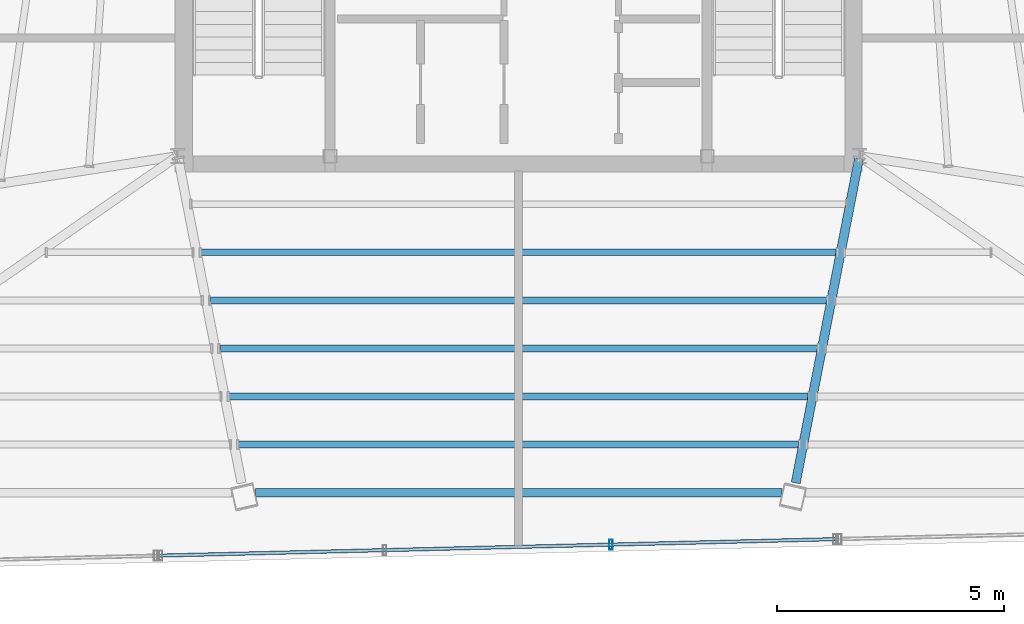
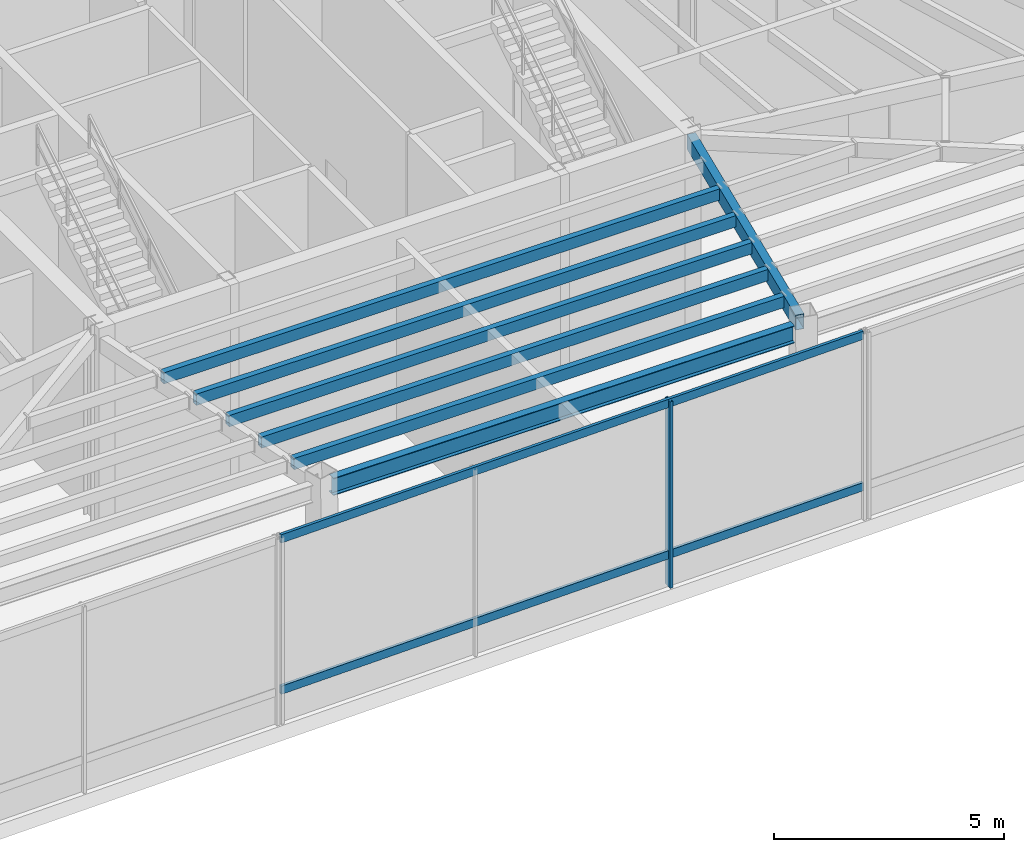
# One storey, part 8 of 25: 7 beams, 3 members, 1 element without a shape of its own.
"""IFC4 building model written with IfcOpenShell, lengths in metres."""

from ifc_helpers import new_model, si_unit, direction, frame, origin, origin_2d, place, context, subcontext, project, spatial, hollow_rectangle, i_section, extrude, source, transform, mapped, material, material_profile, profile_set, type_object, type_shapes, element, aggregate, save


model = new_model("IFC4")

# Units and contexts
model_context = context("Model", 3, precision=1e-05, world=origin(), true_north=direction((0.0, 1.0)))
body_context = subcontext(model_context, "Body", "Model", "MODEL_VIEW")
ifc_project = project(units=[si_unit("LENGTHUNIT", "METRE"), si_unit("AREAUNIT", "SQUARE_METRE"), si_unit("VOLUMEUNIT", "CUBIC_METRE"), si_unit("PLANEANGLEUNIT", "RADIAN"), si_unit("MASSUNIT", "GRAM", prefix="KILO")], contexts=[model_context])

# Site, building, storey
site_placement = place(None, origin())
site = spatial("IfcSite", under=ifc_project, at=site_placement, CompositionType="ELEMENT")
building_placement = place(site_placement, origin())
building = spatial("IfcBuilding", under=site, at=building_placement, Name="Caelisora Broadcast Tower", CompositionType="ELEMENT")
storey_placement = place(building_placement, frame((0.0, 0.0, 284.60009765625)))
storey = spatial("IfcBuildingStorey", under=building, at=storey_placement, Name="L75", CompositionType="ELEMENT", Elevation=284.60009765625)

# Beams
ifc_material_1 = material(Name="Steel Grade 350 (AS/NZS 3679.1)", Category="steel")
ifc_material_profile_1 = material_profile(ifc_material_1, i_section(OverallWidth=0.19091796875, OverallDepth=0.46044921875, WebThickness=0.010009765625, FlangeThickness=0.01611328125, at=origin_2d()), Name="Steel Grade 350 (AS/NZS 3679.1)")
ifc_profile_set_1 = profile_set([ifc_material_profile_1], Name="Steel Grade 350 (AS/NZS 3679.1)")
beam_type_1 = type_object("IfcBeamType", Name="PG06", PredefinedType="BEAM", material=ifc_profile_set_1)
shared_shape_1 = source(origin(), body_context, "Body", "SweptSolid", [
    extrude(i_section(OverallWidth=0.19091796875, OverallDepth=0.46044921875, WebThickness=0.010009765625, FlangeThickness=0.01611328125, at=origin_2d()), origin(), (0.0, 0.0, 1.0), 11.58935546875),
])
type_shapes(beam_type_1, [shared_shape_1])
beam_1_placement = place(storey_placement, frame((32.205322265625, 9.993408203125, 4.7197265625), z_axis=(1.0, 0.0, 0.0), x_axis=(0.0, 1.0, 0.0)))
element("IfcBeam", 1, at=beam_1_placement, inside=storey, type_object=beam_type_1, Name="L75 beam PG06", PredefinedType="BEAM", context=body_context, shape_type="MappedRepresentation", body=[
    mapped(shared_shape_1, transform((0.0, 0.0, 0.0), scale=1.0)),
])
ifc_material_2 = material(Name="Steel Grade 350 (AS/NZS 1163 C350L0)", Category="steel")
ifc_material_profile_2 = material_profile(ifc_material_2, hollow_rectangle(XDim=0.199951171875, YDim=0.39990234375, WallThickness=0.012451171875, at=origin_2d()), Name="Steel Grade 350 (AS/NZS 1163 C350L0)")
ifc_profile_set_2 = profile_set([ifc_material_profile_2], Name="Steel Grade 350 (AS/NZS 1163 C350L0)")
beam_type_2 = type_object("IfcBeamType", Name="PG07", PredefinedType="BEAM", material=ifc_profile_set_2)
shared_shape_2 = source(origin(), body_context, "Body", "SweptSolid", [
    extrude(hollow_rectangle(XDim=0.199951171875, YDim=0.39990234375, WallThickness=0.012451171875, at=origin_2d()), origin(), (0.0, 0.0, 1.0), 7.26611328125),
])
type_shapes(beam_type_2, [shared_shape_2])
beam_2_placement = place(storey_placement, frame((45.488525390625, 17.341064453125, 4.75), z_axis=(-0.191552200086, -0.981482427067, 0.0), x_axis=(0.981482427067, -0.191552200086, 0.0)))
element("IfcBeam", 2, at=beam_2_placement, inside=storey, type_object=beam_type_2, Name="L75 beam PG07", PredefinedType="BEAM", context=body_context, shape_type="MappedRepresentation", body=[
    mapped(shared_shape_2, transform((0.0, 0.0, 0.0), scale=1.0)),
])
ifc_material_profile_3 = material_profile(ifc_material_2, hollow_rectangle(XDim=0.14990234375, YDim=0.300048828125, WallThickness=0.010009765625, at=origin_2d()), Name="Steel Grade 350 (AS/NZS 1163 C350L0)")
ifc_profile_set_3 = profile_set([ifc_material_profile_3], Name="Steel Grade 350 (AS/NZS 1163 C350L0)")
beam_type_3 = type_object("IfcBeamType", Name="SB05", PredefinedType="JOIST", material=ifc_profile_set_3)
shared_shape_3 = source(origin(), body_context, "Body", "SweptSolid", [
    extrude(hollow_rectangle(XDim=0.14990234375, YDim=0.300048828125, WallThickness=0.010009765625, at=origin_2d()), origin(), (0.0, 0.0, 1.0), 13.97607421875),
])
beam_3_placement = place(storey_placement, frame((31.011962890625, 15.283935546875, 4.7998046875), z_axis=(1.0, 0.0, 0.0), x_axis=(0.0, 1.0, 0.0)))
element("IfcBeam", 3, at=beam_3_placement, inside=storey, type_object=beam_type_3, Name="L75 beam SB05", PredefinedType="JOIST", context=body_context, shape_type="MappedRepresentation", body=[
    mapped(shared_shape_3, transform((0.0, 0.0, 0.0), scale=1.0)),
])
shared_shape_4 = source(origin(), body_context, "Body", "SweptSolid", [
    extrude(hollow_rectangle(XDim=0.14990234375, YDim=0.300048828125, WallThickness=0.010009765625, at=origin_2d()), origin(), (0.0, 0.0, 1.0), 13.56298828125),
])
beam_4_placement = place(storey_placement, frame((31.218505859375, 14.225830078125, 4.7998046875), z_axis=(1.0, 0.0, 0.0), x_axis=(0.0, 1.0, 0.0)))
element("IfcBeam", 4, at=beam_4_placement, inside=storey, type_object=beam_type_3, Name="L75 beam SB05", PredefinedType="JOIST", context=body_context, shape_type="MappedRepresentation", body=[
    mapped(shared_shape_4, transform((0.0, 0.0, 0.0), scale=1.0)),
])
shared_shape_5 = source(origin(), body_context, "Body", "SweptSolid", [
    extrude(hollow_rectangle(XDim=0.14990234375, YDim=0.300048828125, WallThickness=0.010009765625, at=origin_2d()), origin(), (0.0, 0.0, 1.0), 13.150390625),
])
beam_5_placement = place(storey_placement, frame((31.4248046875, 13.167724609375, 4.7998046875), z_axis=(1.0, 0.0, 0.0), x_axis=(0.0, 1.0, 0.0)))
element("IfcBeam", 5, at=beam_5_placement, inside=storey, type_object=beam_type_3, Name="L75 beam SB05", PredefinedType="JOIST", context=body_context, shape_type="MappedRepresentation", body=[
    mapped(shared_shape_5, transform((0.0, 0.0, 0.0), scale=1.0)),
])
shared_shape_6 = source(origin(), body_context, "Body", "SweptSolid", [
    extrude(hollow_rectangle(XDim=0.14990234375, YDim=0.300048828125, WallThickness=0.010009765625, at=origin_2d()), origin(), (0.0, 0.0, 1.0), 12.7373046875),
])
beam_6_placement = place(storey_placement, frame((31.63134765625, 12.109619140625, 4.7998046875), z_axis=(1.0, 0.0, 0.0), x_axis=(0.0, 1.0, 0.0)))
element("IfcBeam", 6, at=beam_6_placement, inside=storey, type_object=beam_type_3, Name="L75 beam SB05", PredefinedType="JOIST", context=body_context, shape_type="MappedRepresentation", body=[
    mapped(shared_shape_6, transform((0.0, 0.0, 0.0), scale=1.0)),
])
shared_shape_7 = source(origin(), body_context, "Body", "SweptSolid", [
    extrude(hollow_rectangle(XDim=0.14990234375, YDim=0.300048828125, WallThickness=0.010009765625, at=origin_2d()), origin(), (0.0, 0.0, 1.0), 12.32421875),
])
type_shapes(beam_type_3, [shared_shape_3, shared_shape_4, shared_shape_5, shared_shape_6, shared_shape_7])
beam_7_placement = place(storey_placement, frame((31.837890625, 11.051513671875, 4.7998046875), z_axis=(1.0, 0.0, 0.0), x_axis=(0.0, 1.0, 0.0)))
element("IfcBeam", 7, at=beam_7_placement, inside=storey, type_object=beam_type_3, Name="L75 beam SB05", PredefinedType="JOIST", context=body_context, shape_type="MappedRepresentation", body=[
    mapped(shared_shape_7, transform((0.0, 0.0, 0.0), scale=1.0)),
])

# Curtain wall, members
ifc_material_3 = material(Name="Unitised Aluminium and Low-E Glass Curtain Wall", Category="glass")
curtain_wall_type = type_object("IfcCurtainWallType", Name="CW-TMD", PredefinedType="NOTDEFINED", material=ifc_material_3)
curtain_wall_placement = place(storey_placement, origin())
curtain_wall = element("IfcCurtainWall", 8, at=curtain_wall_placement, inside=storey, type_object=curtain_wall_type, Name="L75 curtain wall CW-TMD", PredefinedType="NOTDEFINED")
ifc_material_4 = material(Name="Aluminium 6063-T6 Anodised Terracotta Bronze", Category="aluminium")
ifc_material_profile_4 = material_profile(ifc_material_4, hollow_rectangle(XDim=0.074951171875, YDim=0.219970703125, WallThickness=0.00390625, at=origin_2d()), Name="Aluminium 6063-T6 Anodised Terracotta Bronze")
ifc_profile_set_4 = profile_set([ifc_material_profile_4], Name="Aluminium 6063-T6 Anodised Terracotta Bronze")
member_type_1 = type_object("IfcMemberType", Name="CWM-01", PredefinedType="MULLION", material=ifc_profile_set_4)
shared_shape_8 = source(origin(), body_context, "Body", "SweptSolid", [
    extrude(hollow_rectangle(XDim=0.074951171875, YDim=0.219970703125, WallThickness=0.00390625, at=origin_2d()), origin(), (0.0, 0.0, 1.0), 4.949951171875),
])
type_shapes(member_type_1, [shared_shape_8])
member_1_placement = place(storey_placement, frame((40.029052734375, 8.851806640625, 0.0), z_axis=(0.0, 0.0, 1.0), x_axis=(1.0, 0.0, 0.0)))
member_1 = element("IfcMember", 9, at=member_1_placement, type_object=member_type_1, Name="L75-CW-B06 mullion #1", PredefinedType="MULLION", context=body_context, shape_type="MappedRepresentation", body=[
    mapped(shared_shape_8, transform((0.0, 0.0, 0.0), scale=1.0)),
])
ifc_material_profile_5 = material_profile(ifc_material_4, hollow_rectangle(XDim=0.074951171875, YDim=0.219970703125, WallThickness=0.00390625, at=origin_2d()), Name="Aluminium 6063-T6 Anodised Terracotta Bronze")
ifc_profile_set_5 = profile_set([ifc_material_profile_5], Name="Aluminium 6063-T6 Anodised Terracotta Bronze")
member_type_2 = type_object("IfcMemberType", Name="CWT-04", PredefinedType="USERDEFINED", material=ifc_profile_set_5)
shared_shape_9 = source(origin(), body_context, "Body", "SweptSolid", [
    extrude(hollow_rectangle(XDim=0.074951171875, YDim=0.219970703125, WallThickness=0.00390625, at=origin_2d()), origin(), (0.0, 0.0, 1.0), 14.83837890625),
])
type_shapes(member_type_2, [shared_shape_9])
member_2_placement = place(storey_placement, frame((44.95703125, 8.971923828125, 0.849853515625), z_axis=(-0.999702671079, -0.024383794578, 0.0), x_axis=(0.024383794578, -0.999702671079, 0.0)))
member_2 = element("IfcMember", 10, at=member_2_placement, type_object=member_type_2, Name="L75-CW-B06 transom #1", ObjectType="TRANSOM", PredefinedType="USERDEFINED", context=body_context, shape_type="MappedRepresentation", body=[
    mapped(shared_shape_9, transform((0.0, 0.0, 0.0), scale=1.0)),
])
member_3_placement = place(storey_placement, frame((44.95703125, 8.971923828125, 4.869873046875), z_axis=(-0.999702671079, -0.024383794578, 0.0), x_axis=(0.024383794578, -0.999702671079, 0.0)))
member_3 = element("IfcMember", 11, at=member_3_placement, type_object=member_type_2, Name="L75-CW-B06 transom #2", ObjectType="TRANSOM", PredefinedType="USERDEFINED", context=body_context, shape_type="MappedRepresentation", body=[
    mapped(shared_shape_9, transform((0.0, 0.0, 0.0), scale=1.0)),
])
aggregate(curtain_wall, [member_1, member_2, member_3])

save(model, "model.ifc")
